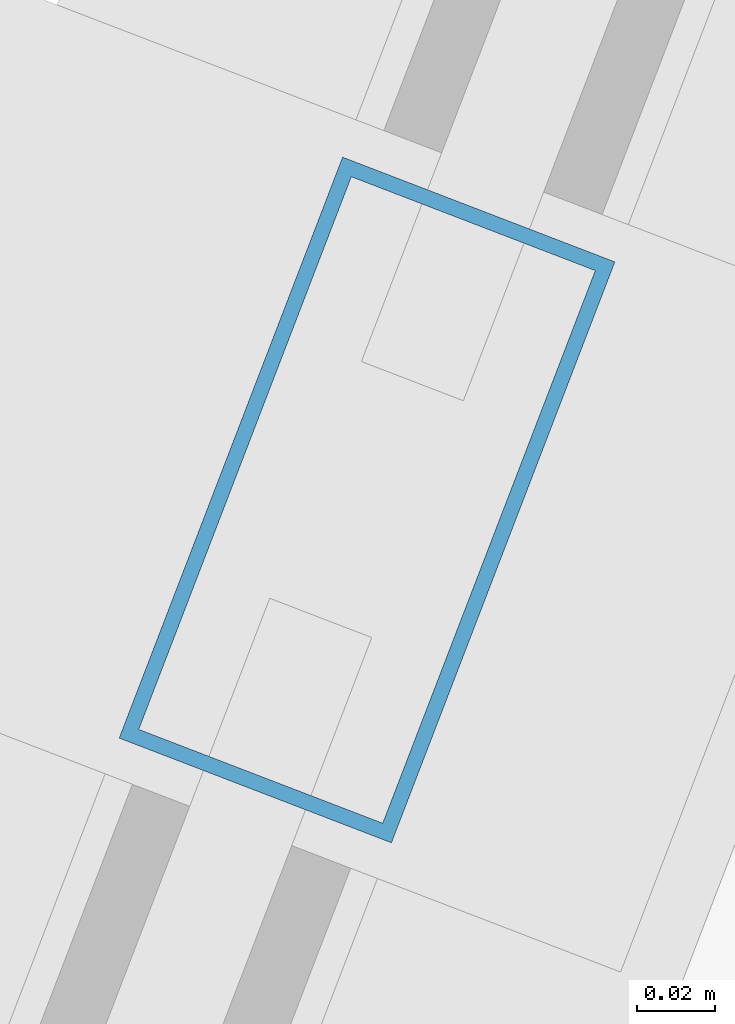
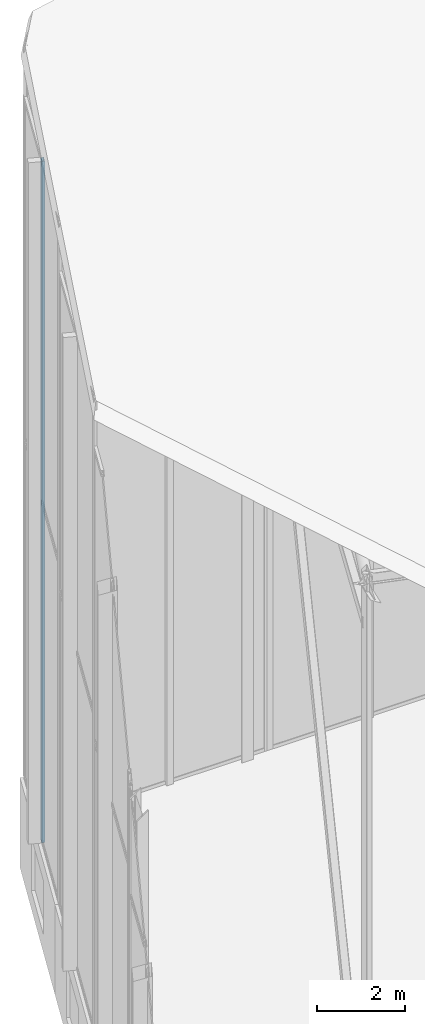
# One storey, part 34 of 74: 1 member, 1 element without a shape of its own.
"""IFC4 building model written with IfcOpenShell, lengths in metres."""

from ifc_helpers import new_model, si_unit, direction, frame, origin, origin_2d, place, context, subcontext, project, spatial, hollow_rectangle, extrude, material, layer, layer_set, material_profile, profile_set, type_object, element, aggregate, save


model = new_model("IFC4")

# Units and contexts
model_context = context("Model", 3, precision=1e-05, world=origin(), true_north=direction((0.0, 1.0)))
body_context = subcontext(model_context, "Body", "Model", "MODEL_VIEW")
ifc_project = project(units=[si_unit("LENGTHUNIT", "METRE"), si_unit("AREAUNIT", "SQUARE_METRE"), si_unit("VOLUMEUNIT", "CUBIC_METRE"), si_unit("PLANEANGLEUNIT", "RADIAN"), si_unit("MASSUNIT", "GRAM", prefix="KILO")], contexts=[model_context])

# Site, building, storey
site_placement = place(None, origin())
site = spatial("IfcSite", under=ifc_project, at=site_placement, CompositionType="ELEMENT")
building_placement = place(site_placement, origin())
building = spatial("IfcBuilding", under=site, at=building_placement, Name="Keshet Zoharim Tower", CompositionType="ELEMENT")
storey_placement = place(building_placement, frame((0.0, 0.0, 320.0)))
storey = spatial("IfcBuildingStorey", under=building, at=storey_placement, Name="RF", CompositionType="ELEMENT", Elevation=320.0)

# Curtain wall, member
ifc_material = material(Name="Aluminium 6063-T6", Category="aluminium")
ifc_layer = layer(ifc_material, 0.260009765625)
ifc_layer_set = layer_set([ifc_layer], Name="Aluminium 6063-T6")
curtain_wall_type = type_object("IfcCurtainWallType", Name="CW-SYS-06", PredefinedType="NOTDEFINED", material=ifc_layer_set)
curtain_wall_placement = place(storey_placement, origin())
curtain_wall = element("IfcCurtainWall", 1, at=curtain_wall_placement, inside=storey, type_object=curtain_wall_type, Name="Slanted Crown Curtain Wall 08", PredefinedType="NOTDEFINED")
ifc_material_profile = material_profile(ifc_material, hollow_rectangle(XDim=0.074951171875, YDim=0.159912109375, WallThickness=0.00390625, at=origin_2d()), Name="MUL-75x160")
ifc_profile_set = profile_set([ifc_material_profile], Name="Aluminium 6063-T6")
member_type = type_object("IfcMemberType", Name="CWM-M15", PredefinedType="MULLION", material=ifc_profile_set)
member_placement = place(storey_placement, frame((13.589599609375, 50.232421875, 2.5), z_axis=(0.0, 0.0, 1.0), x_axis=(-0.933345606206, 0.358979079302, 0.0)))
member = element("IfcMember", 2, at=member_placement, type_object=member_type, Name="CW-06 mullion 2", PredefinedType="MULLION", context=body_context, shape_type="SweptSolid", body=[
    extrude(hollow_rectangle(XDim=0.074951171875, YDim=0.159912109375, WallThickness=0.00390625, at=origin_2d()), origin(), (0.0, 0.0, 1.0), 18.9609375),
])
aggregate(curtain_wall, [member])

save(model, "model.ifc")
